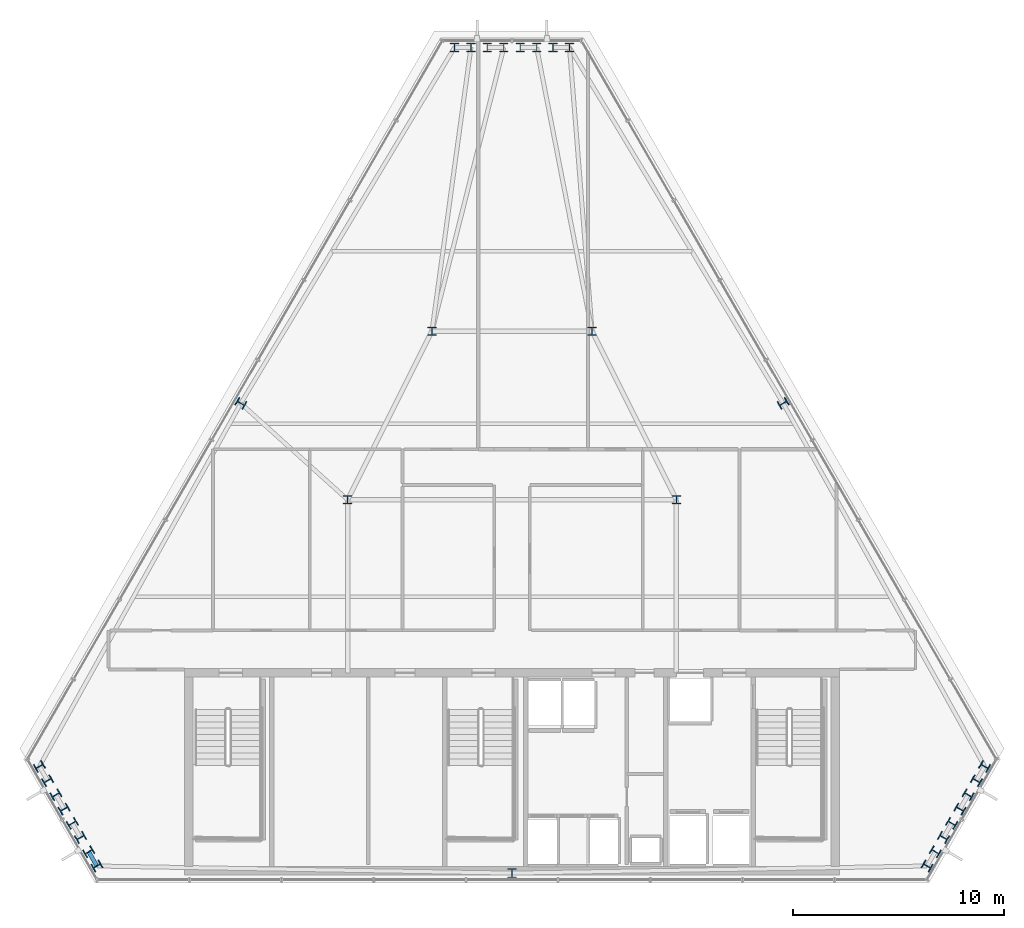
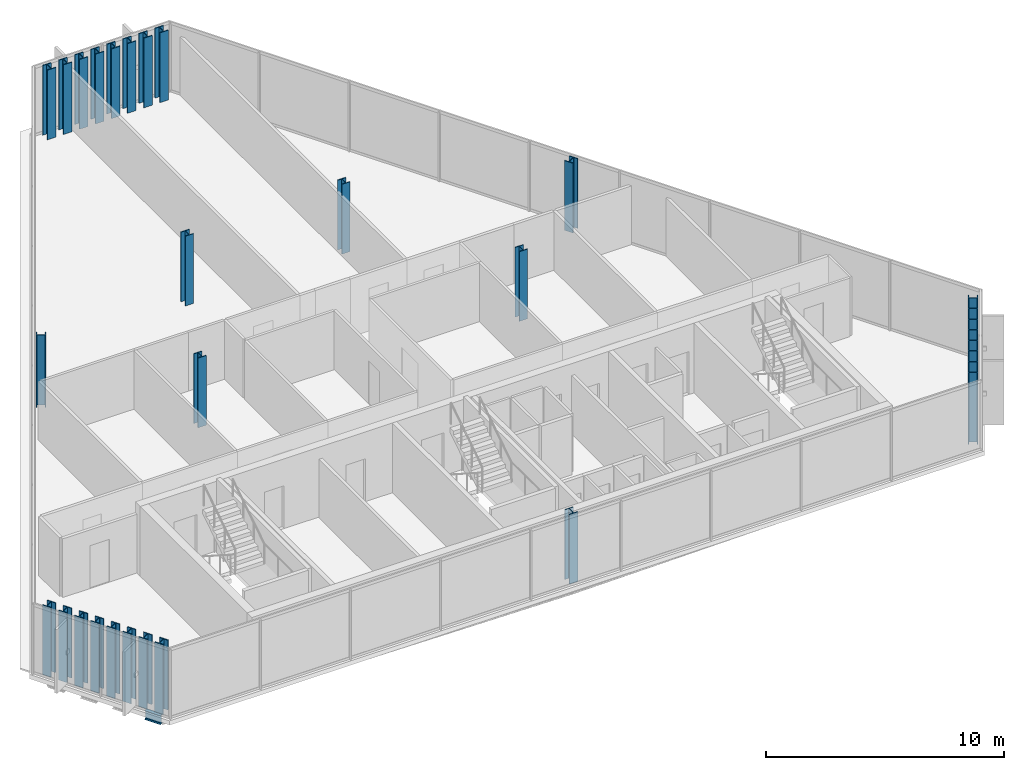
# One storey, part 1 of 29: 31 columns, 1 beam.
"""IFC4 building model written with IfcOpenShell, lengths in metres."""

from ifc_helpers import new_model, si_unit, direction, frame, origin, origin_2d, place, context, subcontext, project, spatial, i_section, extrude, material, material_profile, profile_set, type_object, element, save


model = new_model("IFC4")

# Units and contexts
model_context = context("Model", 3, precision=1e-05, world=origin(), true_north=direction((0.0, 1.0)))
body_context = subcontext(model_context, "Body", "Model", "MODEL_VIEW")
ifc_project = project(units=[si_unit("LENGTHUNIT", "METRE"), si_unit("AREAUNIT", "SQUARE_METRE"), si_unit("VOLUMEUNIT", "CUBIC_METRE"), si_unit("PLANEANGLEUNIT", "RADIAN"), si_unit("MASSUNIT", "GRAM", prefix="KILO")], contexts=[model_context])

# Site, building, storey
site_placement = place(None, origin())
site = spatial("IfcSite", under=ifc_project, at=site_placement, CompositionType="ELEMENT")
building_placement = place(site_placement, origin())
building = spatial("IfcBuilding", under=site, at=building_placement, Name="Ndaravel Arena Tower", CompositionType="ELEMENT")
storey_placement = place(building_placement, frame((0.0, 0.0, 240.800048828125)))
storey = spatial("IfcBuildingStorey", under=building, at=storey_placement, Name="L58", CompositionType="ELEMENT", Elevation=240.800048828125)

# Columns
ifc_material_1 = material(Name="Steel S355", Category="steel")
ifc_material_profile_1 = material_profile(ifc_material_1, i_section(OverallWidth=0.39892578125, OverallDepth=0.3935546875, WebThickness=0.022705078125, FlangeThickness=0.03662109375, FilletRadius=0.01513671875, at=origin_2d()), Name="UC 356x406x287")
ifc_profile_set_1 = profile_set([ifc_material_profile_1], Name="Steel S355")
column_type_1 = type_object("IfcColumnType", Name="COL-INT-UC287", PredefinedType="COLUMN", material=ifc_profile_set_1)
for number, where, z_axis, x_axis, name in (
    (1, (34.199951171875, 23.199951171875, 0.0), (0.0, 0.0, 1.0), (1.0, 0.0, 0.0), "L58 Interior Spine Column IC-01"),
    (2, (49.800048828125, 23.199951171875, 0.0), (0.0, 0.0, 1.0), (1.0, 0.0, 0.0), "L58 Interior Spine Column IC-02"),
    (3, (38.199951171875, 31.199951171875, 0.0), (0.0, 0.0, 1.0), (1.0, 0.0, 0.0), "L58 Interior Spine Column IC-03"),
    (4, (45.800048828125, 31.199951171875, 0.0), (0.0, 0.0, 1.0), (1.0, 0.0, 0.0), "L58 Interior Spine Column IC-04"),
):
    element("IfcColumn", number, at=place(storey_placement, frame(where, z_axis=z_axis, x_axis=x_axis)), inside=storey, type_object=column_type_1, Name=name, PredefinedType="COLUMN", context=body_context, shape_type="SweptSolid", body=[
        extrude(i_section(OverallWidth=0.39892578125, OverallDepth=0.3935546875, WebThickness=0.022705078125, FlangeThickness=0.03662109375, FilletRadius=0.01513671875, at=origin_2d()), origin(), (0.0, 0.0, 1.0), 3.579833984375),
    ])
ifc_material_2 = material(Name="Steel S355", Category="steel")
ifc_material_profile_2 = material_profile(ifc_material_2, i_section(OverallWidth=0.412109375, OverallDepth=0.43505859375, WebThickness=0.035888671875, FlangeThickness=0.0439453125, FilletRadius=0.014892578125, at=origin_2d()), Name="HD 400x463")
ifc_profile_set_2 = profile_set([ifc_material_profile_2], Name="Steel S355")
column_type_2 = type_object("IfcColumnType", Name="COL-TUBE-HD463", PredefinedType="COLUMN", material=ifc_profile_set_2)
for number, where, z_axis, x_axis, name in (
    (5, (42.0, 5.47998046875, 0.0), (0.0, 0.0, 1.0), (1.0, 0.0, 0.0), "L58 Framed Tube Column TC-01"),
    (6, (61.7021484375, 5.817626953125, 0.0), (0.0, 0.0, 1.0), (0.5, 0.866025403784, 0.0), "L58 Framed Tube Column TC-02"),
    (7, (62.092041015625, 6.492919921875, 0.0), (0.0, 0.0, 1.0), (0.5, 0.866025403784, 0.0), "L58 Framed Tube Column TC-03"),
    (8, (62.48193359375, 7.168212890625, 0.0), (0.0, 0.0, 1.0), (0.5, 0.866025403784, 0.0), "L58 Framed Tube Column TC-04"),
    (9, (62.871826171875, 7.843505859375, 0.0), (0.0, 0.0, 1.0), (0.5, 0.866025403784, 0.0), "L58 Framed Tube Column TC-05"),
    (10, (63.26171875, 8.5185546875, 0.0), (0.0, 0.0, 1.0), (0.5, 0.866025403784, 0.0), "L58 Framed Tube Column TC-06"),
    (11, (63.651611328125, 9.19384765625, 0.0), (0.0, 0.0, 1.0), (0.5, 0.866025403784, 0.0), "L58 Framed Tube Column TC-07"),
    (12, (64.041259765625, 9.869140625, 0.0), (0.0, 0.0, 1.0), (0.5, 0.866025403784, 0.0), "L58 Framed Tube Column TC-08"),
    (13, (64.43115234375, 10.54443359375, 0.0), (0.0, 0.0, 1.0), (0.5, 0.866025403784, 0.0), "L58 Framed Tube Column TC-09"),
    (14, (54.87255859375, 27.77587890625, 0.0), (0.0, 0.0, 1.0), (-0.5, 0.866025403784, 0.0), "L58 Framed Tube Column TC-10"),
    (15, (44.72900390625, 44.669677734375, 0.0), (0.0, 0.0, 1.0), (1.0, 0.0, 0.0), "L58 Framed Tube Column TC-11"),
    (16, (43.94921875, 44.669677734375, 0.0), (0.0, 0.0, 1.0), (1.0, 0.0, 0.0), "L58 Framed Tube Column TC-12"),
    (17, (43.169677734375, 44.669677734375, 0.0), (0.0, 0.0, 1.0), (1.0, 0.0, 0.0), "L58 Framed Tube Column TC-13"),
    (18, (42.389892578125, 44.669677734375, 0.0), (0.0, 0.0, 1.0), (1.0, 0.0, 0.0), "L58 Framed Tube Column TC-14"),
    (19, (41.610107421875, 44.669677734375, 0.0), (0.0, 0.0, 1.0), (1.0, 0.0, 0.0), "L58 Framed Tube Column TC-15"),
    (20, (40.830322265625, 44.669677734375, 0.0), (0.0, 0.0, 1.0), (1.0, 0.0, 0.0), "L58 Framed Tube Column TC-16"),
    (21, (40.05078125, 44.669677734375, 0.0), (0.0, 0.0, 1.0), (1.0, 0.0, 0.0), "L58 Framed Tube Column TC-17"),
    (22, (39.27099609375, 44.669677734375, 0.0), (0.0, 0.0, 1.0), (1.0, 0.0, 0.0), "L58 Framed Tube Column TC-18"),
    (23, (29.12744140625, 27.77587890625, 0.0), (0.0, 0.0, 1.0), (0.5, 0.866025403784, 0.0), "L58 Framed Tube Column TC-19"),
    (24, (19.56884765625, 10.54443359375, 0.0), (0.0, 0.0, 1.0), (-0.5, 0.866025403784, 0.0), "L58 Framed Tube Column TC-20"),
    (25, (19.958740234375, 9.869140625, 0.0), (0.0, 0.0, 1.0), (-0.5, 0.866025403784, 0.0), "L58 Framed Tube Column TC-21"),
    (26, (20.348388671875, 9.19384765625, 0.0), (0.0, 0.0, 1.0), (-0.5, 0.866025403784, 0.0), "L58 Framed Tube Column TC-22"),
    (27, (20.73828125, 8.5185546875, 0.0), (0.0, 0.0, 1.0), (-0.5, 0.866025403784, 0.0), "L58 Framed Tube Column TC-23"),
    (28, (21.128173828125, 7.843505859375, 0.0), (0.0, 0.0, 1.0), (-0.5, 0.866025403784, 0.0), "L58 Framed Tube Column TC-24"),
    (29, (21.51806640625, 7.168212890625, 0.0), (0.0, 0.0, 1.0), (-0.5, 0.866025403784, 0.0), "L58 Framed Tube Column TC-25"),
    (30, (21.907958984375, 6.492919921875, 0.0), (0.0, 0.0, 1.0), (-0.5, 0.866025403784, 0.0), "L58 Framed Tube Column TC-26"),
    (31, (22.2978515625, 5.817626953125, 0.0), (0.0, 0.0, 1.0), (-0.5, 0.866025403784, 0.0), "L58 Framed Tube Column TC-27"),
):
    element("IfcColumn", number, at=place(storey_placement, frame(where, z_axis=z_axis, x_axis=x_axis)), inside=storey, type_object=column_type_2, Name=name, PredefinedType="COLUMN", context=body_context, shape_type="SweptSolid", body=[
        extrude(i_section(OverallWidth=0.412109375, OverallDepth=0.43505859375, WebThickness=0.035888671875, FlangeThickness=0.0439453125, FilletRadius=0.014892578125, at=origin_2d()), origin(), (0.0, 0.0, 1.0), 3.579833984375),
    ])

# Beam
ifc_material_3 = material(Name="Steel S355", Category="steel")
ifc_material_profile_3 = material_profile(ifc_material_3, i_section(OverallWidth=0.18994140625, OverallDepth=0.449951171875, WebThickness=0.009521484375, FlangeThickness=0.0146484375, FilletRadius=0.02099609375, at=origin_2d()), Name="IPE 450")
ifc_profile_set_3 = profile_set([ifc_material_profile_3], Name="Steel S355")
beam_type = type_object("IfcBeamType", Name="BM-SPAN-IPE450", PredefinedType="SPANDREL", material=ifc_profile_set_3)
beam_placement = place(storey_placement, frame((21.907958984375, 6.492919921875, -0.445068359375), z_axis=(0.500011542666, -0.866018739521, 0.0), x_axis=(0.866018739521, 0.500011542666, 0.0)))
element("IfcBeam", 32, at=beam_placement, inside=storey, type_object=beam_type, Name="L58 Perimeter Spandrel Beam SP-26", PredefinedType="SPANDREL", context=body_context, shape_type="SweptSolid", body=[
    extrude(i_section(OverallWidth=0.18994140625, OverallDepth=0.449951171875, WebThickness=0.009521484375, FlangeThickness=0.0146484375, FilletRadius=0.02099609375, at=origin_2d()), origin(), (0.0, 0.0, 1.0), 0.77978515625),
])

save(model, "model.ifc")
